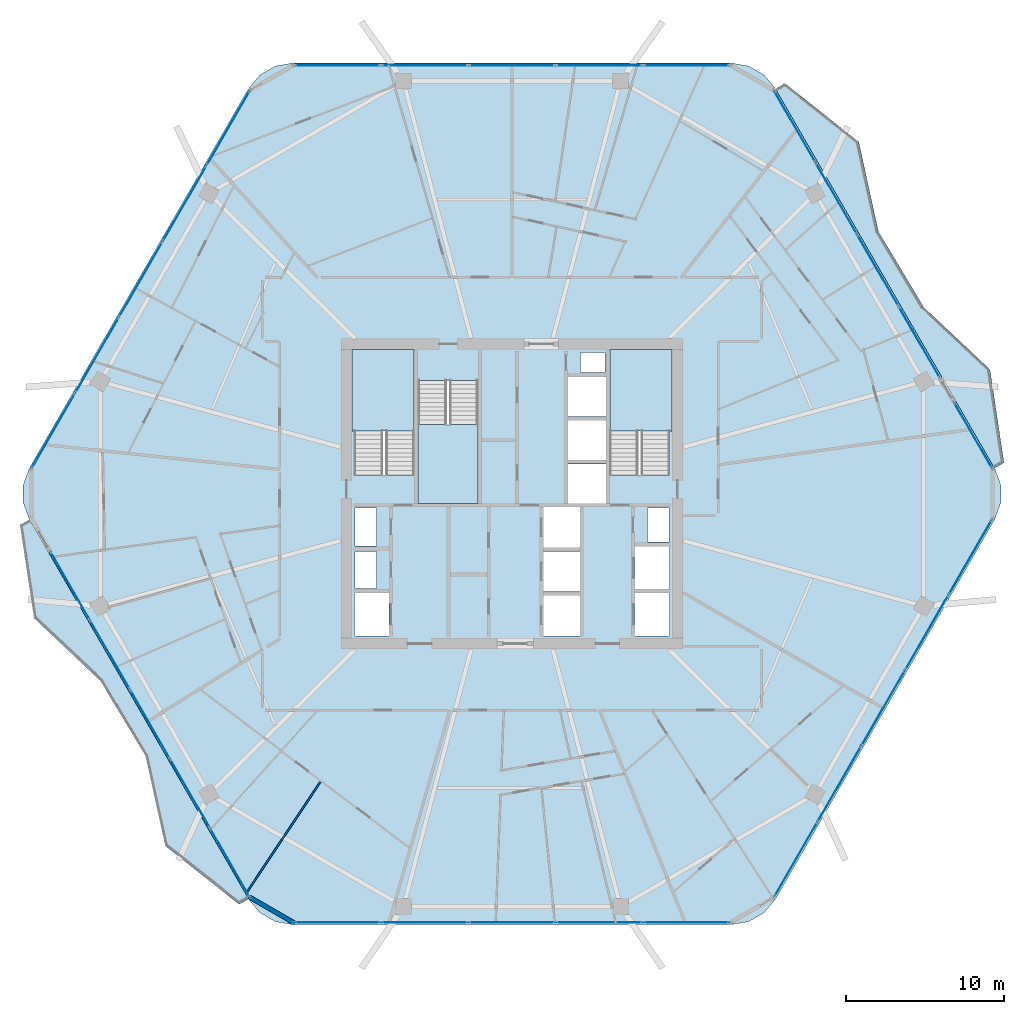
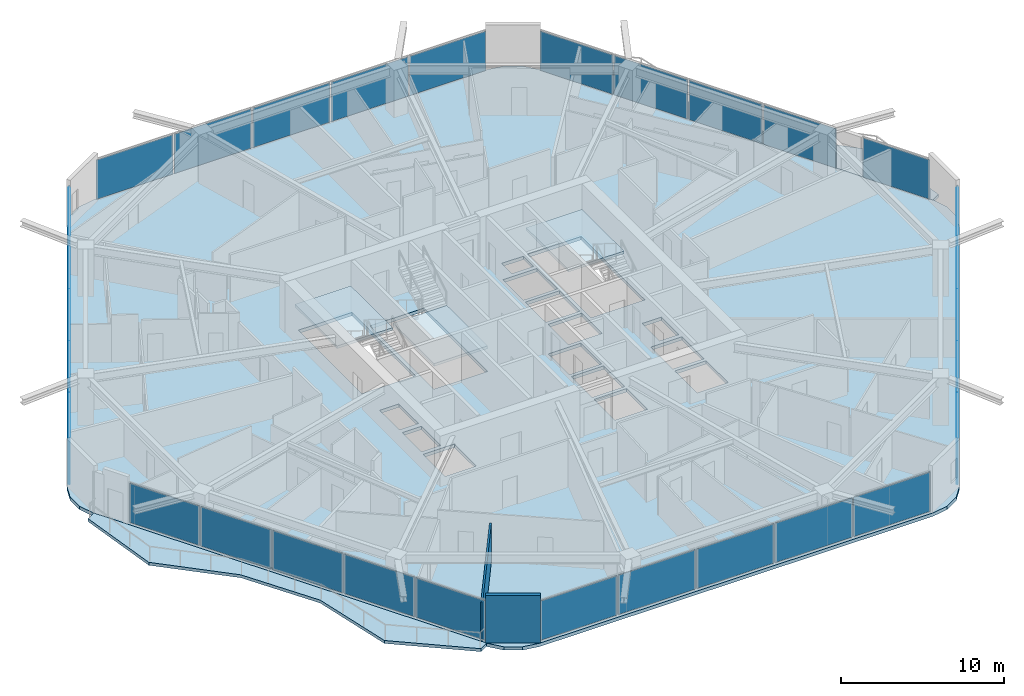
# One storey, part 17 of 26: 30 plates, 6 slabs, 2 walls, 10 elements without a shape of their own.
"""IFC4 building model written with IfcOpenShell, lengths in metres."""

from ifc_helpers import new_model, si_unit, direction, frame, frame_2d, origin, origin_2d, place, context, subcontext, project, spatial, polyline, rectangle, outline, extrude, material, layer, layer_set, type_object, element, aggregate, save


model = new_model("IFC4")

# Units and contexts
model_context = context("Model", 3, precision=1e-05, world=origin(), true_north=direction((0.0, 1.0)))
body_context = subcontext(model_context, "Body", "Model", "MODEL_VIEW")
ifc_project = project(units=[si_unit("LENGTHUNIT", "METRE"), si_unit("AREAUNIT", "SQUARE_METRE"), si_unit("VOLUMEUNIT", "CUBIC_METRE"), si_unit("PLANEANGLEUNIT", "RADIAN"), si_unit("MASSUNIT", "GRAM", prefix="KILO")], contexts=[model_context])

# Site, building, storey
site_placement = place(None, origin())
site = spatial("IfcSite", under=ifc_project, at=site_placement, CompositionType="ELEMENT")
building_placement = place(site_placement, origin())
building = spatial("IfcBuilding", under=site, at=building_placement, Name="Zuhravey Tower", CompositionType="ELEMENT")
storey_placement = place(building_placement, frame((0.0, 0.0, 158.0)))
storey = spatial("IfcBuildingStorey", under=building, at=storey_placement, Name="L39", CompositionType="ELEMENT", Elevation=158.0)

# Slabs
ifc_material_1 = material(Name="Concrete C50/60", Category="concrete")
ifc_layer_1 = layer(ifc_material_1, 0.25)
ifc_layer_set_1 = layer_set([ifc_layer_1], Name="Concrete C50/60")
slab_type_1 = type_object("IfcSlabType", Name="Residential Acoustic Slab 250", PredefinedType="FLOOR", material=ifc_layer_set_1)
slab_1_placement = place(storey_placement, frame((0.0, 0.0, -0.25)))
element("IfcSlab", 1, at=slab_1_placement, inside=storey, type_object=slab_type_1, Name="L39 Floor Slab FS25", PredefinedType="FLOOR", context=body_context, shape_type="SweptSolid", body=[
    extrude(outline(polyline([(66.61181640625, 30.375), (66.997802734375, 31.435546875), (66.997802734375, 32.564453125), (66.61181640625, 33.625), (52.713134765625, 57.697998046875), (51.98779296875, 58.562744140625), (51.01025390625, 59.127197265625), (49.898681640625, 59.322998046875), (22.101318359375, 59.322998046875), (20.98974609375, 59.127197265625), (20.01220703125, 58.562744140625), (19.286865234375, 57.697998046875), (5.38818359375, 33.625), (5.002197265625, 32.564453125), (5.002197265625, 31.435546875), (5.38818359375, 30.375), (19.286865234375, 6.302001953125), (20.01220703125, 5.437255859375), (20.98974609375, 4.872802734375), (22.101318359375, 4.677001953125), (49.898681640625, 4.677001953125), (51.01025390625, 4.872802734375), (51.98779296875, 5.437255859375), (52.713134765625, 6.302001953125), (66.61181640625, 30.375)]), holes=[polyline([(29.800048828125, 33.20068359375), (29.800048828125, 41.0), (26.0, 41.0), (26.0, 33.20068359375), (29.800048828125, 33.20068359375)]), polyline([(46.0, 33.20068359375), (46.0, 41.0), (42.199951171875, 41.0), (42.199951171875, 33.20068359375), (46.0, 33.20068359375)]), polyline([(30.050048828125, 39.199462890625), (30.050048828125, 31.39990234375), (33.85009765625, 31.39990234375), (33.85009765625, 39.199462890625), (30.050048828125, 39.199462890625)]), polyline([(38.0, 23.0), (40.300048828125, 23.0), (40.300048828125, 25.550048828125), (38.0, 25.550048828125), (38.0, 23.0)]), polyline([(38.0, 25.800048828125), (40.300048828125, 25.800048828125), (40.300048828125, 28.35009765625), (38.0, 28.35009765625), (38.0, 25.800048828125)]), polyline([(38.0, 28.60009765625), (40.300048828125, 28.60009765625), (40.300048828125, 31.14990234375), (38.0, 31.14990234375), (38.0, 28.60009765625)]), polyline([(39.550048828125, 31.39990234375), (41.949951171875, 31.39990234375), (41.949951171875, 33.89990234375), (39.550048828125, 33.89990234375), (39.550048828125, 31.39990234375)]), polyline([(39.550048828125, 34.14990234375), (41.949951171875, 34.14990234375), (41.949951171875, 36.64990234375), (39.550048828125, 36.64990234375), (39.550048828125, 34.14990234375)]), polyline([(39.550048828125, 36.89990234375), (41.949951171875, 36.89990234375), (41.949951171875, 39.39990234375), (39.550048828125, 39.39990234375), (39.550048828125, 36.89990234375)]), polyline([(26.0, 23.0), (28.199951171875, 23.0), (28.199951171875, 25.699951171875), (26.0, 25.699951171875), (26.0, 23.0)]), polyline([(43.800048828125, 23.0), (46.0, 23.0), (46.0, 25.699951171875), (43.800048828125, 25.699951171875), (43.800048828125, 23.0)]), polyline([(43.800048828125, 25.949951171875), (46.0, 25.949951171875), (46.0, 28.64990234375), (43.800048828125, 28.64990234375), (43.800048828125, 25.949951171875)]), polyline([(26.050048828125, 26.0), (27.39990234375, 26.0), (27.39990234375, 28.35009765625), (26.050048828125, 28.35009765625), (26.050048828125, 26.0)]), polyline([(26.050048828125, 28.699951171875), (27.39990234375, 28.699951171875), (27.39990234375, 31.10009765625), (26.050048828125, 31.10009765625), (26.050048828125, 28.699951171875)]), polyline([(44.60009765625, 28.949951171875), (45.949951171875, 28.949951171875), (45.949951171875, 31.10009765625), (44.60009765625, 31.10009765625), (44.60009765625, 28.949951171875)]), polyline([(40.35009765625, 39.699951171875), (41.89990234375, 39.699951171875), (41.89990234375, 40.949951171875), (40.35009765625, 40.949951171875), (40.35009765625, 39.699951171875)])]), origin(), (0.0, 0.0, 1.0), 0.25),
])
ifc_material_2 = material(Name="Concrete C40/50", Category="concrete")
ifc_layer_2 = layer(ifc_material_2, 0.219970703125)
ifc_layer_set_2 = layer_set([ifc_layer_2], Name="Concrete C40/50")
slab_type_2 = type_object("IfcSlabType", Name="Sinusoidal Residential Wave Balcony 220", PredefinedType="FLOOR", material=ifc_layer_set_2)
slab_2_placement = place(storey_placement, frame((0.0, 0.0, -0.219970703125)))
element("IfcSlab", 2, at=slab_2_placement, inside=storey, type_object=slab_type_2, Name="L39 Face 4 Wave Balcony WB22", PredefinedType="FLOOR", context=body_context, shape_type="SweptSolid", body=[
    extrude(outline(polyline([(5.405517578125, 30.375), (19.29541015625, 6.31689453125), (18.689208984375, 5.966796875), (14.010009765625, 9.680908203125), (12.760498046875, 15.375), (9.904052734375, 20.141357421875), (5.6875, 24.122314453125), (4.79931640625, 30.02490234375), (5.405517578125, 30.375)])), origin(), (0.0, 0.0, 1.0), 0.219970703125),
])
slab_3_placement = place(storey_placement, frame((0.0, 0.0, -0.219970703125)))
element("IfcSlab", 3, at=slab_3_placement, inside=storey, type_object=slab_type_2, Name="L39 Face 1 Wave Balcony WB22", PredefinedType="FLOOR", context=body_context, shape_type="SweptSolid", body=[
    extrude(outline(polyline([(66.594482421875, 33.625), (52.70458984375, 57.68310546875), (53.310791015625, 58.033203125), (57.989990234375, 54.319091796875), (59.239501953125, 48.625), (62.095947265625, 43.858642578125), (66.3125, 39.877685546875), (67.20068359375, 33.97509765625), (66.594482421875, 33.625)])), origin(), (0.0, 0.0, 1.0), 0.219970703125),
])

# Stair, slab
stair_type = type_object("IfcStairType", Name="Housing Storey Stair Assembly 3800", PredefinedType="HALF_TURN_STAIR", material=ifc_material_2)
stair_1_placement = place(storey_placement, origin())
stair_1 = element("IfcStair", 4, at=stair_1_placement, inside=storey, type_object=stair_type, Name="L39 Core Exit Stair ST1", PredefinedType="HALF_TURN_STAIR")
ifc_layer_3 = layer(ifc_material_2, 0.199951171875)
ifc_layer_set_3 = layer_set([ifc_layer_3], Name="Concrete C40/50")
slab_type_3 = type_object("IfcSlabType", Name="Stair Landing Slab 200", PredefinedType="LANDING", material=ifc_layer_set_3)
slab_4_placement = place(storey_placement, frame((0.0, 0.0, 1.699951171875)))
slab_4 = element("IfcSlab", 5, at=slab_4_placement, type_object=slab_type_3, Name="ST1 landing 1", PredefinedType="LANDING", context=body_context, shape_type="SweptSolid", body=[
    extrude(outline(polyline([(29.800048828125, 36.0), (29.800048828125, 41.14794921875), (25.85205078125, 41.14794921875), (25.85205078125, 36.0), (29.800048828125, 36.0)])), origin(), (0.0, 0.0, 1.0), 0.199951171875),
])
aggregate(stair_1, [slab_4])

stair_2_placement = place(storey_placement, origin())
stair_2 = element("IfcStair", 6, at=stair_2_placement, inside=storey, type_object=stair_type, Name="L39 Core Exit Stair ST2", PredefinedType="HALF_TURN_STAIR")
slab_5_placement = place(storey_placement, frame((0.0, 0.0, 1.699951171875)))
slab_5 = element("IfcSlab", 7, at=slab_5_placement, type_object=slab_type_3, Name="ST2 landing 1", PredefinedType="LANDING", context=body_context, shape_type="SweptSolid", body=[
    extrude(outline(polyline([(46.14794921875, 36.0), (46.14794921875, 41.14794921875), (42.199951171875, 41.14794921875), (42.199951171875, 36.0), (46.14794921875, 36.0)])), origin(), (0.0, 0.0, 1.0), 0.199951171875),
])
aggregate(stair_2, [slab_5])

stair_3_placement = place(storey_placement, origin())
stair_3 = element("IfcStair", 8, at=stair_3_placement, inside=storey, type_object=stair_type, Name="L39 Core Exit Stair ST3", PredefinedType="HALF_TURN_STAIR")
slab_6_placement = place(storey_placement, frame((0.0, 0.0, 1.699951171875)))
slab_6 = element("IfcSlab", 9, at=slab_6_placement, type_object=slab_type_3, Name="ST3 landing 1", PredefinedType="LANDING", context=body_context, shape_type="SweptSolid", body=[
    extrude(outline(polyline([(30.050048828125, 36.39990234375), (30.050048828125, 31.39990234375), (33.85009765625, 31.39990234375), (33.85009765625, 36.39990234375), (30.050048828125, 36.39990234375)])), origin(), (0.0, 0.0, 1.0), 0.199951171875),
])
aggregate(stair_3, [slab_6])

# Curtain wall, plates
ifc_material_3 = material(Name="Thermally broken anodised aluminium", Category="aluminium")
curtain_wall_type = type_object("IfcCurtainWallType", Name="Zone 1-2 Residential Curtain Wall CW3", PredefinedType="NOTDEFINED", material=ifc_material_3)
curtain_wall_1_placement = place(storey_placement, origin())
curtain_wall_1 = element("IfcCurtainWall", 10, at=curtain_wall_1_placement, inside=storey, type_object=curtain_wall_type, Name="L39 CW3 CW-L39-F6-1", PredefinedType="NOTDEFINED")
ifc_material_4 = material(Name="Triple low-E insulated vision glass", Category="glass")
ifc_layer_4 = layer(ifc_material_4, 0.0419921875)
ifc_layer_set_4 = layer_set([ifc_layer_4], Name="Triple low-E insulated vision glass")
plate_type = type_object("IfcPlateType", Name="Triple Low-E Vision Panel", PredefinedType="CURTAIN_PANEL", material=ifc_layer_set_4)
plate_1_placement = place(storey_placement, frame((65.074462890625, 27.9921875, 0.090087890625), z_axis=(0.0, 0.0, 1.0), x_axis=(-0.500000459979, -0.866025138215, 0.0)))
plate_1 = element("IfcPlate", 11, at=plate_1_placement, type_object=plate_type, Name="CW3 panel 1.1", PredefinedType="CURTAIN_PANEL", context=body_context, shape_type="SweptSolid", body=[
    extrude(rectangle(XDim=5.409423828125, YDim=0.0419921875, at=origin_2d()), origin(), (0.0, 0.0, 1.0), 2.94189453125),
])
plate_2_placement = place(storey_placement, frame((62.3134765625, 23.2099609375, 0.090087890625), z_axis=(0.0, 0.0, 1.0), x_axis=(-0.500000459979, -0.866025138215, 0.0)))
plate_2 = element("IfcPlate", 12, at=plate_2_placement, type_object=plate_type, Name="CW3 panel 2.1", PredefinedType="CURTAIN_PANEL", context=body_context, shape_type="SweptSolid", body=[
    extrude(rectangle(XDim=5.454345703125, YDim=0.0419921875, at=origin_2d()), origin(), (0.0, 0.0, 1.0), 2.94189453125),
])
plate_3_placement = place(storey_placement, frame((59.541259765625, 18.408447265625, 0.090087890625), z_axis=(0.0, 0.0, 1.0), x_axis=(-0.500000459979, -0.866025138215, 0.0)))
plate_3 = element("IfcPlate", 13, at=plate_3_placement, type_object=plate_type, Name="CW3 panel 3.1", PredefinedType="CURTAIN_PANEL", context=body_context, shape_type="SweptSolid", body=[
    extrude(rectangle(XDim=5.454345703125, YDim=0.0419921875, at=origin_2d()), origin(), (0.0, 0.0, 1.0), 2.94189453125),
])
plate_4_placement = place(storey_placement, frame((56.76904296875, 13.60693359375, 0.090087890625), z_axis=(0.0, 0.0, 1.0), x_axis=(-0.500000459979, -0.866025138215, 0.0)))
plate_4 = element("IfcPlate", 14, at=plate_4_placement, type_object=plate_type, Name="CW3 panel 4.1", PredefinedType="CURTAIN_PANEL", context=body_context, shape_type="SweptSolid", body=[
    extrude(rectangle(XDim=5.454345703125, YDim=0.0419921875, at=origin_2d()), origin(), (0.0, 0.0, 1.0), 2.94189453125),
])
plate_5_placement = place(storey_placement, frame((54.008056640625, 8.82470703125, 0.090087890625), z_axis=(0.0, 0.0, 1.0), x_axis=(-0.500000459979, -0.866025138215, 0.0)))
plate_5 = element("IfcPlate", 15, at=plate_5_placement, type_object=plate_type, Name="CW3 panel 5.1", PredefinedType="CURTAIN_PANEL", context=body_context, shape_type="SweptSolid", body=[
    extrude(rectangle(XDim=5.409423828125, YDim=0.0419921875, at=origin_2d()), origin(), (0.0, 0.0, 1.0), 2.94189453125),
])
aggregate(curtain_wall_1, [plate_1, plate_2, plate_3, plate_4, plate_5])

curtain_wall_2_placement = place(storey_placement, origin())
curtain_wall_2 = element("IfcCurtainWall", 16, at=curtain_wall_2_placement, inside=storey, type_object=curtain_wall_type, Name="L39 CW3 CW-L39-F5-1", PredefinedType="NOTDEFINED")
plate_6_placement = place(storey_placement, frame((47.06640625, 4.81689453125, 0.090087890625), z_axis=(0.0, 0.0, 1.0), x_axis=(-1.0, 0.0, 0.0)))
plate_6 = element("IfcPlate", 17, at=plate_6_placement, type_object=plate_type, Name="CW3 panel 1.1", PredefinedType="CURTAIN_PANEL", context=body_context, shape_type="SweptSolid", body=[
    extrude(rectangle(XDim=5.409423828125, YDim=0.0419921875, at=origin_2d()), origin(), (0.0, 0.0, 1.0), 2.94189453125),
])
plate_7_placement = place(storey_placement, frame((41.54443359375, 4.81689453125, 0.090087890625), z_axis=(0.0, 0.0, 1.0), x_axis=(-1.0, 0.0, 0.0)))
plate_7 = element("IfcPlate", 18, at=plate_7_placement, type_object=plate_type, Name="CW3 panel 2.1", PredefinedType="CURTAIN_PANEL", context=body_context, shape_type="SweptSolid", body=[
    extrude(rectangle(XDim=5.454345703125, YDim=0.0419921875, at=origin_2d()), origin(), (0.0, 0.0, 1.0), 2.94189453125),
])
plate_8_placement = place(storey_placement, frame((36.0, 4.81689453125, 0.090087890625), z_axis=(0.0, 0.0, 1.0), x_axis=(-1.0, 0.0, 0.0)))
plate_8 = element("IfcPlate", 19, at=plate_8_placement, type_object=plate_type, Name="CW3 panel 3.1", PredefinedType="CURTAIN_PANEL", context=body_context, shape_type="SweptSolid", body=[
    extrude(rectangle(XDim=5.454345703125, YDim=0.0419921875, at=origin_2d()), origin(), (0.0, 0.0, 1.0), 2.94189453125),
])
plate_9_placement = place(storey_placement, frame((30.45556640625, 4.81689453125, 0.090087890625), z_axis=(0.0, 0.0, 1.0), x_axis=(-1.0, 0.0, 0.0)))
plate_9 = element("IfcPlate", 20, at=plate_9_placement, type_object=plate_type, Name="CW3 panel 4.1", PredefinedType="CURTAIN_PANEL", context=body_context, shape_type="SweptSolid", body=[
    extrude(rectangle(XDim=5.454345703125, YDim=0.0419921875, at=origin_2d()), origin(), (0.0, 0.0, 1.0), 2.94189453125),
])
plate_10_placement = place(storey_placement, frame((24.93359375, 4.81689453125, 0.090087890625), z_axis=(0.0, 0.0, 1.0), x_axis=(-1.0, 0.0, 0.0)))
plate_10 = element("IfcPlate", 21, at=plate_10_placement, type_object=plate_type, Name="CW3 panel 5.1", PredefinedType="CURTAIN_PANEL", context=body_context, shape_type="SweptSolid", body=[
    extrude(rectangle(XDim=5.409423828125, YDim=0.0419921875, at=origin_2d()), origin(), (0.0, 0.0, 1.0), 2.94189453125),
])
aggregate(curtain_wall_2, [plate_6, plate_7, plate_8, plate_9, plate_10])

curtain_wall_3_placement = place(storey_placement, origin())
curtain_wall_3 = element("IfcCurtainWall", 22, at=curtain_wall_3_placement, inside=storey, type_object=curtain_wall_type, Name="L39 CW3 CW-L39-F4-1", PredefinedType="NOTDEFINED")
plate_11_placement = place(storey_placement, frame((18.109375, 8.62109375, 0.090087890625), z_axis=(0.0, 0.0, 1.0), x_axis=(-0.499999483732, 0.866025701852, 0.0)))
plate_11 = element("IfcPlate", 23, at=plate_11_placement, type_object=plate_type, Name="CW3 panel 1.1", PredefinedType="CURTAIN_PANEL", context=body_context, shape_type="SweptSolid", body=[
    extrude(rectangle(XDim=4.939453125, YDim=0.0419921875, at=origin_2d()), origin(), (0.0, 0.0, 1.0), 2.94189453125),
])
plate_12_placement = place(storey_placement, frame((15.58349609375, 12.996337890625, 0.090087890625), z_axis=(0.0, 0.0, 1.0), x_axis=(-0.499999483732, 0.866025701852, 0.0)))
plate_12 = element("IfcPlate", 24, at=plate_12_placement, type_object=plate_type, Name="CW3 panel 2.1", PredefinedType="CURTAIN_PANEL", context=body_context, shape_type="SweptSolid", body=[
    extrude(rectangle(XDim=4.984375, YDim=0.0419921875, at=origin_2d()), origin(), (0.0, 0.0, 1.0), 2.94189453125),
])
plate_13_placement = place(storey_placement, frame((13.046142578125, 17.390869140625, 0.090087890625), z_axis=(0.0, 0.0, 1.0), x_axis=(-0.499999483732, 0.866025701852, 0.0)))
plate_13 = element("IfcPlate", 25, at=plate_13_placement, type_object=plate_type, Name="CW3 panel 3.1", PredefinedType="CURTAIN_PANEL", context=body_context, shape_type="SweptSolid", body=[
    extrude(rectangle(XDim=4.984375, YDim=0.0419921875, at=origin_2d()), origin(), (0.0, 0.0, 1.0), 2.94189453125),
])
plate_14_placement = place(storey_placement, frame((10.509033203125, 21.785400390625, 0.090087890625), z_axis=(0.0, 0.0, 1.0), x_axis=(-0.499999483732, 0.866025701852, 0.0)))
plate_14 = element("IfcPlate", 26, at=plate_14_placement, type_object=plate_type, Name="CW3 panel 4.1", PredefinedType="CURTAIN_PANEL", context=body_context, shape_type="SweptSolid", body=[
    extrude(rectangle(XDim=4.984375, YDim=0.0419921875, at=origin_2d()), origin(), (0.0, 0.0, 1.0), 2.94189453125),
])
plate_15_placement = place(storey_placement, frame((7.983154296875, 26.16064453125, 0.090087890625), z_axis=(0.0, 0.0, 1.0), x_axis=(-0.499999483732, 0.866025701852, 0.0)))
plate_15 = element("IfcPlate", 27, at=plate_15_placement, type_object=plate_type, Name="CW3 panel 5.1", PredefinedType="CURTAIN_PANEL", context=body_context, shape_type="SweptSolid", body=[
    extrude(rectangle(XDim=4.939453125, YDim=0.0419921875, at=origin_2d()), origin(), (0.0, 0.0, 1.0), 2.94189453125),
])
aggregate(curtain_wall_3, [plate_11, plate_12, plate_13, plate_14, plate_15])

curtain_wall_4_placement = place(storey_placement, origin())
curtain_wall_4 = element("IfcCurtainWall", 28, at=curtain_wall_4_placement, inside=storey, type_object=curtain_wall_type, Name="L39 CW3 CW-L39-F3-1", PredefinedType="NOTDEFINED")
plate_16_placement = place(storey_placement, frame((6.925537109375, 36.0078125, 0.090087890625), z_axis=(0.0, 0.0, 1.0), x_axis=(0.500000459979, 0.866025138215, 0.0)))
plate_16 = element("IfcPlate", 29, at=plate_16_placement, type_object=plate_type, Name="CW3 panel 1.1", PredefinedType="CURTAIN_PANEL", context=body_context, shape_type="SweptSolid", body=[
    extrude(rectangle(XDim=5.409423828125, YDim=0.0419921875, at=origin_2d()), origin(), (0.0, 0.0, 1.0), 2.94189453125),
])
plate_17_placement = place(storey_placement, frame((9.6865234375, 40.7900390625, 0.090087890625), z_axis=(0.0, 0.0, 1.0), x_axis=(0.500000459979, 0.866025138215, 0.0)))
plate_17 = element("IfcPlate", 30, at=plate_17_placement, type_object=plate_type, Name="CW3 panel 2.1", PredefinedType="CURTAIN_PANEL", context=body_context, shape_type="SweptSolid", body=[
    extrude(rectangle(XDim=5.454345703125, YDim=0.0419921875, at=origin_2d()), origin(), (0.0, 0.0, 1.0), 2.94189453125),
])
plate_18_placement = place(storey_placement, frame((12.458740234375, 45.591552734375, 0.090087890625), z_axis=(0.0, 0.0, 1.0), x_axis=(0.500000459979, 0.866025138215, 0.0)))
plate_18 = element("IfcPlate", 31, at=plate_18_placement, type_object=plate_type, Name="CW3 panel 3.1", PredefinedType="CURTAIN_PANEL", context=body_context, shape_type="SweptSolid", body=[
    extrude(rectangle(XDim=5.454345703125, YDim=0.0419921875, at=origin_2d()), origin(), (0.0, 0.0, 1.0), 2.94189453125),
])
plate_19_placement = place(storey_placement, frame((15.23095703125, 50.39306640625, 0.090087890625), z_axis=(0.0, 0.0, 1.0), x_axis=(0.500000459979, 0.866025138215, 0.0)))
plate_19 = element("IfcPlate", 32, at=plate_19_placement, type_object=plate_type, Name="CW3 panel 4.1", PredefinedType="CURTAIN_PANEL", context=body_context, shape_type="SweptSolid", body=[
    extrude(rectangle(XDim=5.454345703125, YDim=0.0419921875, at=origin_2d()), origin(), (0.0, 0.0, 1.0), 2.94189453125),
])
plate_20_placement = place(storey_placement, frame((17.991943359375, 55.17529296875, 0.090087890625), z_axis=(0.0, 0.0, 1.0), x_axis=(0.500000459979, 0.866025138215, 0.0)))
plate_20 = element("IfcPlate", 33, at=plate_20_placement, type_object=plate_type, Name="CW3 panel 5.1", PredefinedType="CURTAIN_PANEL", context=body_context, shape_type="SweptSolid", body=[
    extrude(rectangle(XDim=5.409423828125, YDim=0.0419921875, at=origin_2d()), origin(), (0.0, 0.0, 1.0), 2.94189453125),
])
aggregate(curtain_wall_4, [plate_16, plate_17, plate_18, plate_19, plate_20])

curtain_wall_5_placement = place(storey_placement, origin())
curtain_wall_5 = element("IfcCurtainWall", 34, at=curtain_wall_5_placement, inside=storey, type_object=curtain_wall_type, Name="L39 CW3 CW-L39-F2-1", PredefinedType="NOTDEFINED")
plate_21_placement = place(storey_placement, frame((24.93359375, 59.18310546875, 0.090087890625), z_axis=(0.0, 0.0, 1.0), x_axis=(1.0, 0.0, 0.0)))
plate_21 = element("IfcPlate", 35, at=plate_21_placement, type_object=plate_type, Name="CW3 panel 1.1", PredefinedType="CURTAIN_PANEL", context=body_context, shape_type="SweptSolid", body=[
    extrude(rectangle(XDim=5.409423828125, YDim=0.0419921875, at=origin_2d()), origin(), (0.0, 0.0, 1.0), 2.94189453125),
])
plate_22_placement = place(storey_placement, frame((30.45556640625, 59.18310546875, 0.090087890625), z_axis=(0.0, 0.0, 1.0), x_axis=(1.0, 0.0, 0.0)))
plate_22 = element("IfcPlate", 36, at=plate_22_placement, type_object=plate_type, Name="CW3 panel 2.1", PredefinedType="CURTAIN_PANEL", context=body_context, shape_type="SweptSolid", body=[
    extrude(rectangle(XDim=5.454345703125, YDim=0.0419921875, at=origin_2d()), origin(), (0.0, 0.0, 1.0), 2.94189453125),
])
plate_23_placement = place(storey_placement, frame((36.0, 59.18310546875, 0.090087890625), z_axis=(0.0, 0.0, 1.0), x_axis=(1.0, 0.0, 0.0)))
plate_23 = element("IfcPlate", 37, at=plate_23_placement, type_object=plate_type, Name="CW3 panel 3.1", PredefinedType="CURTAIN_PANEL", context=body_context, shape_type="SweptSolid", body=[
    extrude(rectangle(XDim=5.454345703125, YDim=0.0419921875, at=origin_2d()), origin(), (0.0, 0.0, 1.0), 2.94189453125),
])
plate_24_placement = place(storey_placement, frame((41.54443359375, 59.18310546875, 0.090087890625), z_axis=(0.0, 0.0, 1.0), x_axis=(1.0, 0.0, 0.0)))
plate_24 = element("IfcPlate", 38, at=plate_24_placement, type_object=plate_type, Name="CW3 panel 4.1", PredefinedType="CURTAIN_PANEL", context=body_context, shape_type="SweptSolid", body=[
    extrude(rectangle(XDim=5.454345703125, YDim=0.0419921875, at=origin_2d()), origin(), (0.0, 0.0, 1.0), 2.94189453125),
])
plate_25_placement = place(storey_placement, frame((47.06640625, 59.18310546875, 0.090087890625), z_axis=(0.0, 0.0, 1.0), x_axis=(1.0, 0.0, 0.0)))
plate_25 = element("IfcPlate", 39, at=plate_25_placement, type_object=plate_type, Name="CW3 panel 5.1", PredefinedType="CURTAIN_PANEL", context=body_context, shape_type="SweptSolid", body=[
    extrude(rectangle(XDim=5.409423828125, YDim=0.0419921875, at=origin_2d()), origin(), (0.0, 0.0, 1.0), 2.94189453125),
])
aggregate(curtain_wall_5, [plate_21, plate_22, plate_23, plate_24, plate_25])

curtain_wall_6_placement = place(storey_placement, origin())
curtain_wall_6 = element("IfcCurtainWall", 40, at=curtain_wall_6_placement, inside=storey, type_object=curtain_wall_type, Name="L39 CW3 CW-L39-F1-1", PredefinedType="NOTDEFINED")
plate_26_placement = place(storey_placement, frame((53.941162109375, 55.291259765625, 0.090087890625), z_axis=(0.0, 0.0, 1.0), x_axis=(0.500001209789, -0.866024705312, 0.0)))
plate_26 = element("IfcPlate", 41, at=plate_26_placement, type_object=plate_type, Name="CW3 panel 1.1", PredefinedType="CURTAIN_PANEL", context=body_context, shape_type="SweptSolid", body=[
    extrude(rectangle(XDim=5.141357421875, YDim=0.0419921875, at=origin_2d()), origin(), (0.0, 0.0, 1.0), 2.94189453125),
])
plate_27_placement = place(storey_placement, frame((56.568115234375, 50.7412109375, 0.090087890625), z_axis=(0.0, 0.0, 1.0), x_axis=(0.500001209789, -0.866024705312, 0.0)))
plate_27 = element("IfcPlate", 42, at=plate_27_placement, type_object=plate_type, Name="CW3 panel 2.1", PredefinedType="CURTAIN_PANEL", context=body_context, shape_type="SweptSolid", body=[
    extrude(rectangle(XDim=5.1865234375, YDim=0.0419921875, at=origin_2d()), origin(), (0.0, 0.0, 1.0), 2.94189453125),
])
plate_28_placement = place(storey_placement, frame((59.206298828125, 46.171875, 0.090087890625), z_axis=(0.0, 0.0, 1.0), x_axis=(0.500001209789, -0.866024705312, 0.0)))
plate_28 = element("IfcPlate", 43, at=plate_28_placement, type_object=plate_type, Name="CW3 panel 3.1", PredefinedType="CURTAIN_PANEL", context=body_context, shape_type="SweptSolid", body=[
    extrude(rectangle(XDim=5.1865234375, YDim=0.0419921875, at=origin_2d()), origin(), (0.0, 0.0, 1.0), 2.94189453125),
])
plate_29_placement = place(storey_placement, frame((61.833251953125, 41.621826171875, 0.090087890625), z_axis=(0.0, 0.0, 1.0), x_axis=(0.500001209789, -0.866024705312, 0.0)))
plate_29 = element("IfcPlate", 44, at=plate_29_placement, type_object=plate_type, Name="CW3 panel 4.1", PredefinedType="CURTAIN_PANEL", context=body_context, shape_type="SweptSolid", body=[
    extrude(rectangle(XDim=5.141357421875, YDim=0.0419921875, at=origin_2d()), origin(), (0.0, 0.0, 1.0), 2.94189453125),
])
aggregate(curtain_wall_6, [plate_26, plate_27, plate_28, plate_29])

# Curtain wall, plate
curtain_wall_7_placement = place(storey_placement, origin())
curtain_wall_7 = element("IfcCurtainWall", 45, at=curtain_wall_7_placement, inside=storey, type_object=curtain_wall_type, Name="L39 CW3 CW-L39-F1-2", PredefinedType="NOTDEFINED")
plate_30_placement = place(storey_placement, frame((65.24267578125, 35.71630859375, 0.090087890625), z_axis=(0.0, 0.0, 1.0), x_axis=(0.499993596579, -0.86602910077, 0.0)))
plate_30 = element("IfcPlate", 46, at=plate_30_placement, type_object=plate_type, Name="CW3 panel 1.1", PredefinedType="CURTAIN_PANEL", context=body_context, shape_type="SweptSolid", body=[
    extrude(rectangle(XDim=4.736572265625, YDim=0.0419921875, at=origin_2d()), origin(), (0.0, 0.0, 1.0), 2.94189453125),
])
aggregate(curtain_wall_7, [plate_30])

# Walls
ifc_material_5 = material(Name="Precast concrete C40/50", Category="concrete")
ifc_layer_5 = layer(ifc_material_5, 0.280029296875)
ifc_layer_set_5 = layer_set([ifc_layer_5], Name="Precast concrete C40/50")
wall_type_1 = type_object("IfcWallType", Name="Crown Architectural Wall 280", PredefinedType="SOLIDWALL", material=ifc_layer_set_5)
wall_1_placement = place(storey_placement, frame((22.22119140625, 4.769287109375, 0.0), z_axis=(0.0, 0.0, 1.0), x_axis=(-0.866020068361, 0.500009241111, 0.0)))
element("IfcWall", 47, at=wall_1_placement, inside=storey, type_object=wall_type_1, Name="L39 Rounded Corner Closure Wall EW28-04", PredefinedType="SOLIDWALL", context=body_context, shape_type="SweptSolid", body=[
    extrude(rectangle(XDim=3.365234375, YDim=0.280029296875, at=frame_2d((1.6826171875, 0.0))), origin(), (0.0, 0.0, 1.0), 3.550048828125),
])
ifc_material_6 = material(Name="Gypsum metal-stud partition")
ifc_layer_6 = layer(ifc_material_6, 0.1201171875)
ifc_layer_set_6 = layer_set([ifc_layer_6], Name="Gypsum metal-stud partition")
wall_type_2 = type_object("IfcWallType", Name="Unit Internal Partition 120", PredefinedType="PARTITIONING", material=ifc_layer_set_6)
wall_2_placement = place(storey_placement, frame((23.8427734375, 13.728759765625, 0.0), z_axis=(0.0, 0.0, 1.0), x_axis=(-0.553937627107, -0.832558169304, 0.0)))
element("IfcWall", 48, at=wall_2_placement, inside=storey, type_object=wall_type_2, Name="L39 IW12 Partition 094", PredefinedType="PARTITIONING", context=body_context, shape_type="SweptSolid", body=[
    extrude(rectangle(XDim=8.425048828125, YDim=0.1201171875, at=frame_2d((4.21240234375, 0.0))), origin(), (0.0, 0.0, 1.0), 2.8701171875),
])

save(model, "model.ifc")
